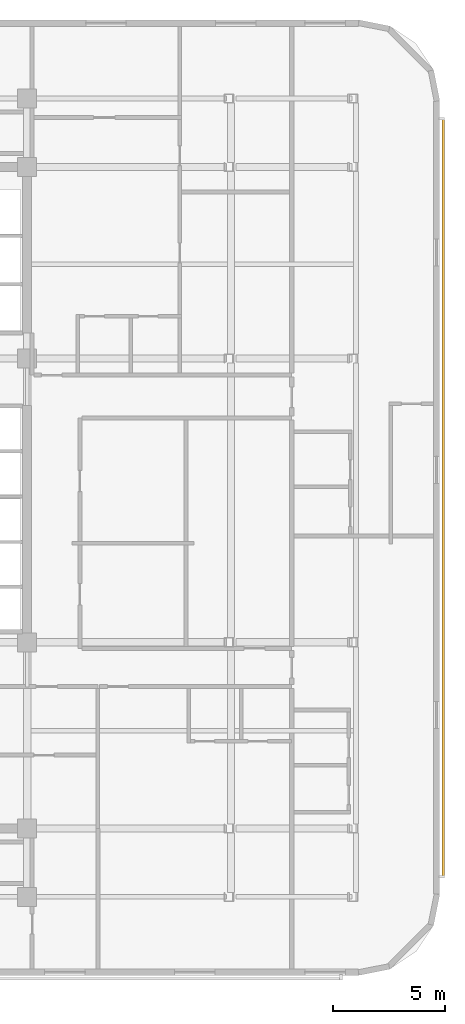
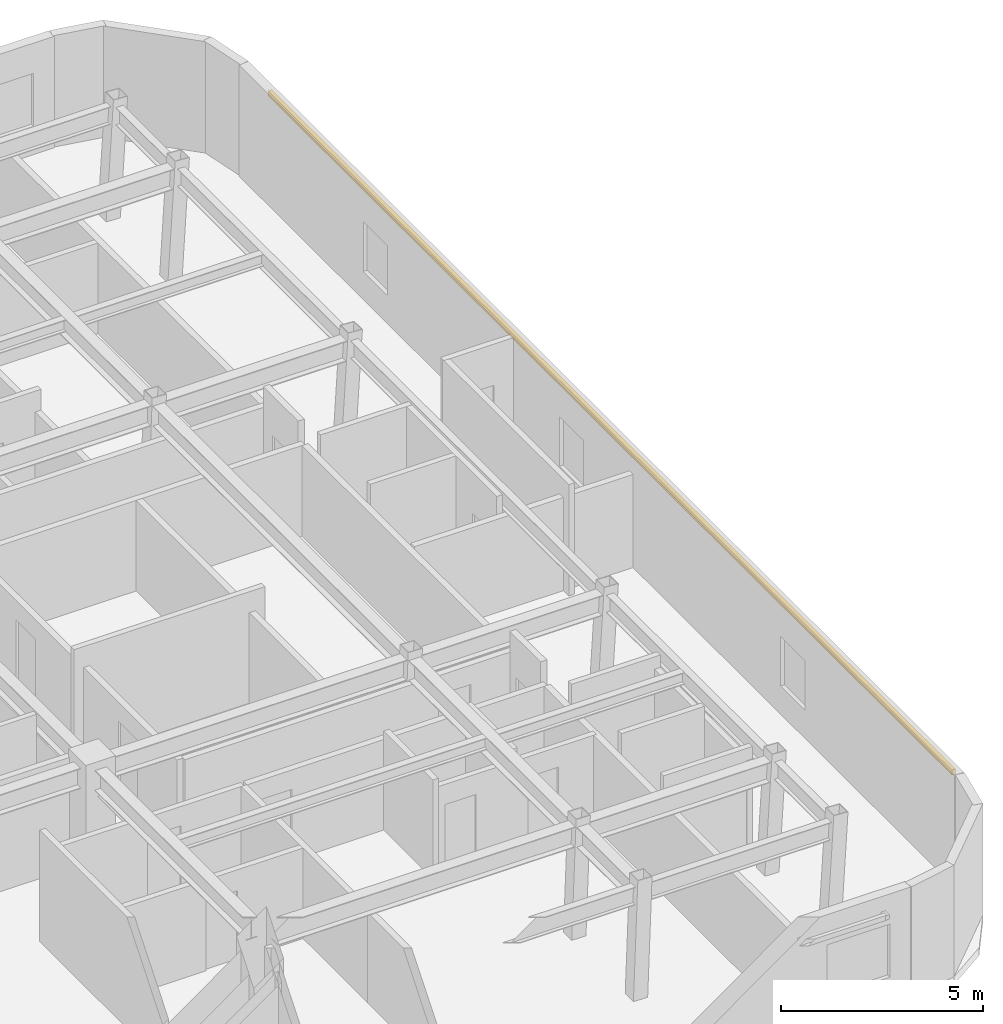
# One storey, part 10 of 11: 1 shading device.
"""IFC4 building model written with IfcOpenShell, lengths in metres."""

import ifcopenshell
import ifcopenshell.guid

model = None  # the IFC model being written
_history = None  # IfcOwnerHistory: only IFC2X3 demands one
_inside = {}  # id of a spatial element -> (the spatial element, [elements in it])
_under = {}  # id of a project, library or spatial element -> (it, [spatial elements below it])
_declared = {}  # id of a project -> (the project, [libraries it declares])
_typed = {}  # id of a type object -> (the type object, [elements of that type])
_made_of = {}  # id of a material, layer set ... -> (it, [elements and type objects made of it])


def new_model(schema):
    """Start an empty IFC model of exactly this schema.

    Asked for "IFC4X3", IfcOpenShell would pick the latest addendum, in which some entities
    have other attributes; the version numbers below select the first issue.
    IFC2X3 requires an IfcOwnerHistory on every rooted entity: one is made here for all.
    """
    global model, _history
    if schema == "IFC4X3":
        model = ifcopenshell.file(schema_version=(4, 3, 0, 0))
    else:
        model = ifcopenshell.file(schema=schema)
    _inside.clear()
    _under.clear()
    _declared.clear()
    _typed.clear()
    _made_of.clear()
    _history = None
    if model.schema == "IFC2X3":
        org = make("IfcOrganization", Name="unknown")
        user = make(
            "IfcPersonAndOrganization",
            ThePerson=make("IfcPerson", FamilyName="unknown"),
            TheOrganization=org,
        )
        app = make(
            "IfcApplication",
            ApplicationDeveloper=org,
            Version="unknown",
            ApplicationFullName="unknown",
            ApplicationIdentifier="unknown",
        )
        _history = make(
            "IfcOwnerHistory",
            OwningUser=user,
            OwningApplication=app,
            ChangeAction="ADDED",
            CreationDate=0,
        )
    return model


def make(cls, **values):
    """One entity of the class cls with the attributes given. An attribute that is None is left unset."""
    return model.create_entity(
        cls, **{name: value for name, value in values.items() if value is not None}
    )


def rooted(cls, **values):
    """An entity with a GlobalId (a new one), such as an element, a storey or a relation."""
    return make(cls, GlobalId=ifcopenshell.guid.new(), OwnerHistory=_history, **values)


def si_unit(unit_type, name, prefix=None):
    """IfcSIUnit, for example si_unit("LENGTHUNIT", "METRE", prefix="MILLI")."""
    return make("IfcSIUnit", UnitType=unit_type, Prefix=prefix, Name=name)


def assignment(units):
    """IfcUnitAssignment: the units of a project."""
    return None if units is None else make("IfcUnitAssignment", Units=units)


def point(xyz):
    """IfcCartesianPoint."""
    return None if xyz is None else make("IfcCartesianPoint", Coordinates=xyz)


def direction(xyz):
    """IfcDirection."""
    return None if xyz is None else make("IfcDirection", DirectionRatios=xyz)


def frame(location, z_axis=None, x_axis=None):
    """IfcAxis2Placement3D, a coordinate frame: its origin and axes. An axis left out is left unset."""
    return make(
        "IfcAxis2Placement3D",
        Location=point(location),
        Axis=direction(z_axis),
        RefDirection=direction(x_axis),
    )


def frame_2d(location, x_axis=None):
    """IfcAxis2Placement2D, a coordinate frame in the plane: its origin and x axis."""
    return make(
        "IfcAxis2Placement2D", Location=point(location), RefDirection=direction(x_axis)
    )


def origin():
    """The frame at (0, 0, 0) with its axes left unset."""
    return frame((0.0, 0.0, 0.0))


def origin_2d():
    """The frame at (0, 0) in the plane with its x axis left unset."""
    return frame_2d((0.0, 0.0))


def place(relative_to, where):
    """IfcLocalPlacement: puts the frame where relative to a parent placement (None: the world)."""
    return make(
        "IfcLocalPlacement", PlacementRelTo=relative_to, RelativePlacement=where
    )


def context(
    kind, dimensions, precision=None, world=None, true_north=None, identifier=None
):
    """IfcGeometricRepresentationContext, for example the 3D "Model" context."""
    return make(
        "IfcGeometricRepresentationContext",
        ContextIdentifier=identifier,
        ContextType=kind,
        CoordinateSpaceDimension=dimensions,
        Precision=precision,
        WorldCoordinateSystem=world,
        TrueNorth=true_north,
    )


def subcontext(parent, identifier, kind, view, scale=None):
    """IfcGeometricRepresentationSubContext, for example "Body" below "Model"."""
    return make(
        "IfcGeometricRepresentationSubContext",
        ContextIdentifier=identifier,
        ContextType=kind,
        ParentContext=parent,
        TargetScale=scale,
        TargetView=view,
    )


def project(units=None, contexts=None):
    """IfcProject with its units and contexts."""
    return rooted(
        "IfcProject",
        Name="project",
        RepresentationContexts=contexts,
        UnitsInContext=assignment(units),
    )


def spatial(cls, under=None, at=None, **own):
    """A site, building, storey or space (cls), placed at a placement, below another one or the project."""
    s = rooted(cls, ObjectPlacement=at, **own)
    if under is not None:
        _under.setdefault(under.id(), (under, []))[1].append(s)
    return s


def profile(cls, at=None, kind="AREA", **sizes):
    """A parametric profile (cls). Its sizes go by their IFC names, for example OverallWidth=200.0."""
    return make(cls, ProfileType=kind, Position=at, **sizes)


def rectangle(**sizes):
    """IfcRectangleProfileDef."""
    return profile("IfcRectangleProfileDef", **sizes)


def extrude(swept, where, along, depth):
    """IfcExtrudedAreaSolid: the profile swept, set in the frame where, extruded along a direction by depth."""
    return make(
        "IfcExtrudedAreaSolid",
        SweptArea=swept,
        Position=where,
        ExtrudedDirection=direction(along),
        Depth=depth,
    )


def shape(context_of_items, identifier, shape_type, items):
    """IfcShapeRepresentation: the items that make up one representation, for example the "Body"."""
    return make(
        "IfcShapeRepresentation",
        ContextOfItems=context_of_items,
        RepresentationIdentifier=identifier,
        RepresentationType=shape_type,
        Items=items,
    )


def material(Name=None, Category=None):
    """IfcMaterial."""
    return make("IfcMaterial", Name=Name, Category=Category)


def material_profile(
    of_material, cross_section, Name=None, Category=None, Priority=None
):
    """IfcMaterialProfile: a cross section and its material."""
    return make(
        "IfcMaterialProfile",
        Name=Name,
        Material=of_material,
        Profile=cross_section,
        Priority=Priority,
        Category=Category,
    )


def profile_set(profiles, Name=None, composite=None):
    """IfcMaterialProfileSet."""
    return make(
        "IfcMaterialProfileSet",
        Name=Name,
        MaterialProfiles=profiles,
        CompositeProfile=composite,
    )


def made_of(thing, what):
    """Note that an element or type object is made of a material, layer set ...; save() writes the relation."""
    if what is not None:
        _made_of.setdefault(what.id(), (what, []))[1].append(thing)
    return thing


def type_object(cls, material=None, **own):
    """A type object (cls), such as IfcWallType, which elements share."""
    return made_of(rooted(cls, **own), material)


def element(
    cls,
    number,
    at=None,
    inside=None,
    cuts=None,
    type_object=None,
    material=None,
    context=None,
    identifier="Body",
    shape_type=None,
    held_by="IfcProductDefinitionShape",
    body=None,
    shapes=None,
    **own,
):
    """One element of the class cls, such as IfcWall. Its Tag is "e" and its number.

    at: its placement. inside: the storey or other place that contains it. cuts: it is an
    opening in that element (IfcRelVoidsElement). A single representation is given by context,
    identifier, shape_type and body (its items); several are given by shapes. held_by: the class
    of the entity that holds the representations. save() writes the other relations.
    """
    e = rooted(cls, Tag="e%d" % number, ObjectPlacement=at, **own)
    if body is not None:
        shapes = [shape(context, identifier, shape_type, body)]
    if shapes is not None:
        e.Representation = make(held_by, Representations=shapes)
    if inside is not None:
        _inside.setdefault(inside.id(), (inside, []))[1].append(e)
    if cuts is not None:
        rooted(
            "IfcRelVoidsElement", RelatingBuildingElement=cuts, RelatedOpeningElement=e
        )
    if type_object is not None:
        _typed.setdefault(type_object.id(), (type_object, []))[1].append(e)
    return made_of(e, material)


def aggregate(whole, parts):
    """IfcRelAggregates: a whole, such as a stair, and the parts it consists of."""
    return rooted("IfcRelAggregates", RelatingObject=whole, RelatedObjects=parts)


def save(model, path):
    """Write the relations noted so far, then the file.

    IfcRelAggregates (storeys below a building ...), IfcRelContainedInSpatialStructure (elements
    in a storey), IfcRelDefinesByType, IfcRelAssociatesMaterial and IfcRelDeclares: one each for
    every whole, place, type object, material and project.
    """
    for whole, parts in _under.values():
        aggregate(whole, parts)
    for where, things in _inside.values():
        rooted(
            "IfcRelContainedInSpatialStructure",
            RelatedElements=things,
            RelatingStructure=where,
        )
    for kind, things in _typed.values():
        rooted("IfcRelDefinesByType", RelatedObjects=things, RelatingType=kind)
    for what, things in _made_of.values():
        rooted("IfcRelAssociatesMaterial", RelatedObjects=things, RelatingMaterial=what)
    for by, libraries in _declared.values():
        rooted("IfcRelDeclares", RelatingContext=by, RelatedDefinitions=libraries)
    model.write(path)


model = new_model("IFC4")

# Units and contexts
model_context = context("Model", 3, precision=1e-05, world=origin(), true_north=direction((0.0, 1.0)))
body_context = subcontext(model_context, "Body", "Model", "MODEL_VIEW")
ifc_project = project(units=[si_unit("LENGTHUNIT", "METRE"), si_unit("AREAUNIT", "SQUARE_METRE"), si_unit("VOLUMEUNIT", "CUBIC_METRE"), si_unit("PLANEANGLEUNIT", "RADIAN"), si_unit("MASSUNIT", "GRAM", prefix="KILO")], contexts=[model_context])

# Site, building, storey
site_placement = place(None, origin())
site = spatial("IfcSite", under=ifc_project, at=site_placement, CompositionType="ELEMENT")
building_placement = place(site_placement, origin())
building = spatial("IfcBuilding", under=site, at=building_placement, Name="Ochreholt Gables", CompositionType="ELEMENT")
storey_placement = place(building_placement, frame((0.0, 0.0, 121.199951171875)))
storey = spatial("IfcBuildingStorey", under=building, at=storey_placement, Name="L31", CompositionType="ELEMENT", Elevation=121.199951171875)

# Shading device
ifc_material = material(Name="Warm Ochre Glazed Terracotta Baguette", Category="masonry")
ifc_material_profile = material_profile(ifc_material, rectangle(XDim=0.110107421875, YDim=0.14990234375, at=origin_2d()), Name="TCBAG110X150")
ifc_profile_set = profile_set([ifc_material_profile], Name="Warm Ochre Glazed Terracotta Baguette")
shading_device_type = type_object("IfcShadingDeviceType", Name="SHD-BAGUETTE", PredefinedType="USERDEFINED", material=ifc_profile_set)
shading_device_placement = place(storey_placement, frame((53.75, 7.10009765625, 2.840087890625), z_axis=(0.0, 1.0, 0.0), x_axis=(-1.0, 0.0, 0.0)))
element("IfcShadingDevice", 1, at=shading_device_placement, inside=storey, type_object=shading_device_type, Name="L31 Terracotta Baguette Screen E-1", ObjectType="BAGUETTE", PredefinedType="USERDEFINED", context=body_context, shape_type="SweptSolid", body=[
    extrude(rectangle(XDim=0.110107421875, YDim=0.14990234375, at=origin_2d()), origin(), (0.0, 0.0, 1.0), 33.7998046875),
])

save(model, "model.ifc")
